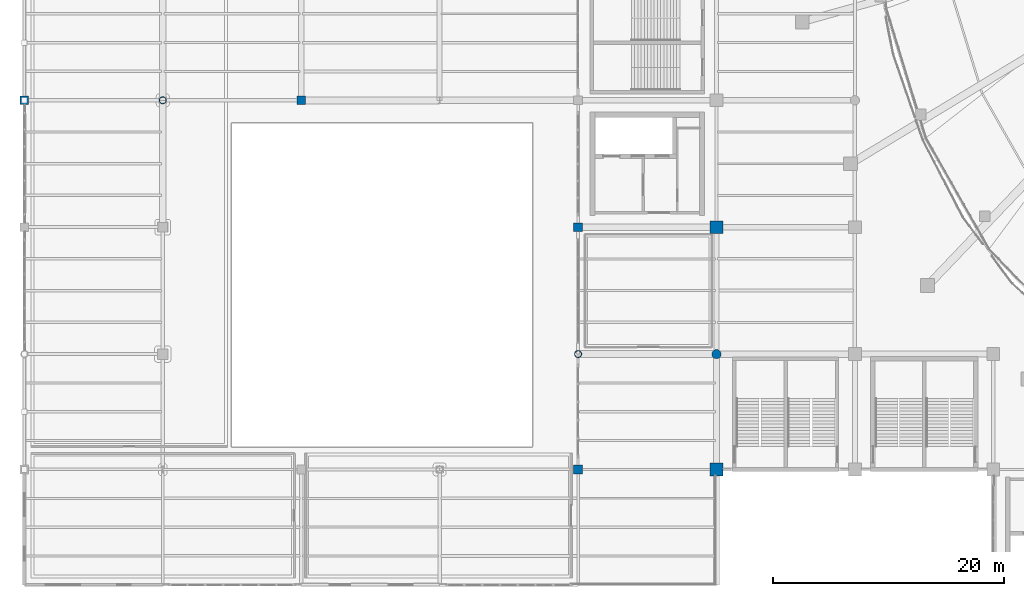
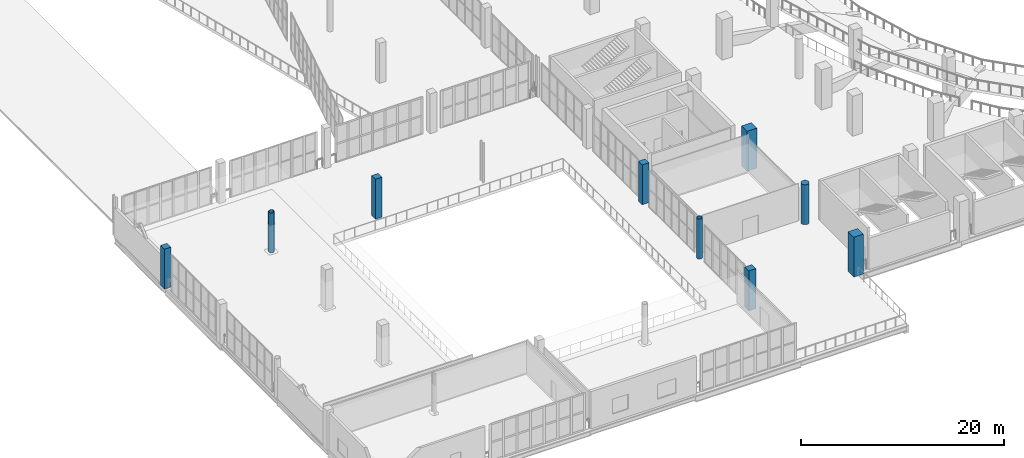
# One storey, part 2 of 136: 9 columns.
"""IFC4 building model written with IfcOpenShell, lengths in metres."""

from ifc_helpers import new_model, si_unit, direction, frame, origin, origin_2d, place, context, subcontext, project, spatial, rectangle, circle, hollow_circle, extrude, material, material_profile, profile_set, type_object, element, save


model = new_model("IFC4")

# Units and contexts
model_context = context("Model", 3, precision=1e-05, world=origin(), true_north=direction((0.0, 1.0)))
body_context = subcontext(model_context, "Body", "Model", "MODEL_VIEW")
ifc_project = project(units=[si_unit("LENGTHUNIT", "METRE"), si_unit("AREAUNIT", "SQUARE_METRE"), si_unit("VOLUMEUNIT", "CUBIC_METRE"), si_unit("PLANEANGLEUNIT", "RADIAN"), si_unit("MASSUNIT", "GRAM", prefix="KILO")], contexts=[model_context])

# Site, building, storey
site_placement = place(None, origin())
site = spatial("IfcSite", under=ifc_project, at=site_placement, CompositionType="ELEMENT")
building_placement = place(site_placement, origin())
building = spatial("IfcBuilding", under=site, at=building_placement, Name="Brinegate Civic Arena", CompositionType="ELEMENT")
storey_placement = place(building_placement, frame((0.0, 0.0, 5.39990234375)))
storey = spatial("IfcBuildingStorey", under=building, at=storey_placement, Name="L01", CompositionType="ELEMENT", Elevation=5.39990234375)

# Columns
ifc_material_1 = material(Name="Concrete C50/60", Category="concrete")
ifc_material_profile_1 = material_profile(ifc_material_1, rectangle(XDim=1.10009765625, YDim=1.10009765625, at=origin_2d()), Name="RC1100X1100")
ifc_profile_set_1 = profile_set([ifc_material_profile_1], Name="Concrete C50/60")
column_type_1 = type_object("IfcColumnType", Name="COL-CC02-1100", PredefinedType="COLUMN", material=ifc_profile_set_1)
for number, where, z_axis, x_axis, name in (
    (1, (60.0, 10.0, 0.0), (0.0, 0.0, 1.0), (1.0, 0.0, 0.0), "Column COL-L01-6-B"),
    (2, (60.0, 31.0, 0.0), (0.0, 0.0, 1.0), (1.0, 0.0, 0.0), "Column COL-L01-6-D"),
):
    element("IfcColumn", number, at=place(storey_placement, frame(where, z_axis=z_axis, x_axis=x_axis)), inside=storey, type_object=column_type_1, Name=name, PredefinedType="COLUMN", context=body_context, shape_type="SweptSolid", body=[
        extrude(rectangle(XDim=1.10009765625, YDim=1.10009765625, at=origin_2d()), origin(), (0.0, 0.0, 1.0), 4.800048828125),
    ])
ifc_material_profile_2 = material_profile(ifc_material_1, rectangle(XDim=0.800048828125, YDim=0.800048828125, at=origin_2d()), Name="RC800X800")
ifc_profile_set_2 = profile_set([ifc_material_profile_2], Name="Concrete C50/60")
column_type_2 = type_object("IfcColumnType", Name="COL-CC07-800", PredefinedType="COLUMN", material=ifc_profile_set_2)
column_1_placement = place(storey_placement, frame((48.0, 10.0, 0.0), z_axis=(0.0, 0.0, 1.0), x_axis=(1.0, 0.0, 0.0)))
element("IfcColumn", 3, at=column_1_placement, inside=storey, type_object=column_type_2, Name="Column COL-L01-5-B", PredefinedType="COLUMN", context=body_context, shape_type="SweptSolid", body=[
    extrude(rectangle(XDim=0.800048828125, YDim=0.800048828125, at=origin_2d()), origin(), (0.0, 0.0, 1.0), 4.800048828125),
])
ifc_material_profile_3 = material_profile(ifc_material_1, rectangle(XDim=0.75, YDim=0.75, at=origin_2d()), Name="RC750X750")
ifc_profile_set_3 = profile_set([ifc_material_profile_3], Name="Concrete C50/60")
column_type_3 = type_object("IfcColumnType", Name="COL-CC08-750", PredefinedType="COLUMN", material=ifc_profile_set_3)
for number, where, z_axis, x_axis, name in (
    (4, (0.0, 42.0, 0.0), (0.0, 0.0, 1.0), (1.0, 0.0, 0.0), "Column COL-L01-1-E"),
    (5, (24.0, 42.0, 0.0), (0.0, 0.0, 1.0), (1.0, 0.0, 0.0), "Column COL-L01-3-E"),
    (6, (48.0, 31.0, 0.0), (0.0, 0.0, 1.0), (1.0, 0.0, 0.0), "Column COL-L01-5-D"),
):
    element("IfcColumn", number, at=place(storey_placement, frame(where, z_axis=z_axis, x_axis=x_axis)), inside=storey, type_object=column_type_3, Name=name, PredefinedType="COLUMN", context=body_context, shape_type="SweptSolid", body=[
        extrude(rectangle(XDim=0.75, YDim=0.75, at=origin_2d()), origin(), (0.0, 0.0, 1.0), 4.800048828125),
    ])
ifc_material_profile_4 = material_profile(ifc_material_1, circle(Radius=0.39990234375, at=origin_2d()), Name="RCD800")
ifc_profile_set_4 = profile_set([ifc_material_profile_4], Name="Concrete C50/60")
column_type_4 = type_object("IfcColumnType", Name="COL-CC13-D800", PredefinedType="COLUMN", material=ifc_profile_set_4)
column_2_placement = place(storey_placement, frame((60.0, 20.0, 0.0), z_axis=(0.0, 0.0, 1.0), x_axis=(1.0, 0.0, 0.0)))
element("IfcColumn", 7, at=column_2_placement, inside=storey, type_object=column_type_4, Name="Column COL-L01-6-C", PredefinedType="COLUMN", context=body_context, shape_type="SweptSolid", body=[
    extrude(circle(Radius=0.39990234375, at=origin_2d()), origin(), (0.0, 0.0, 1.0), 4.800048828125),
])
ifc_material_2 = material(Name="Steel S355", Category="steel")
ifc_material_profile_5 = material_profile(ifc_material_2, hollow_circle(Radius=0.304931640625, WallThickness=0.02490234375, at=origin_2d()), Name="CHS610X25")
ifc_profile_set_5 = profile_set([ifc_material_profile_5], Name="Steel S355")
column_type_5 = type_object("IfcColumnType", Name="COL-SC05-CHS610", PredefinedType="COLUMN", material=ifc_profile_set_5)
for number, where, z_axis, x_axis, name in (
    (8, (12.0, 42.0, 0.0), (0.0, 0.0, 1.0), (1.0, 0.0, 0.0), "Column COL-L01-2-E"),
    (9, (48.0, 20.0, 0.0), (0.0, 0.0, 1.0), (1.0, 0.0, 0.0), "Column COL-L01-5-C"),
):
    element("IfcColumn", number, at=place(storey_placement, frame(where, z_axis=z_axis, x_axis=x_axis)), inside=storey, type_object=column_type_5, Name=name, PredefinedType="COLUMN", context=body_context, shape_type="SweptSolid", body=[
        extrude(hollow_circle(Radius=0.304931640625, WallThickness=0.02490234375, at=origin_2d()), origin(), (0.0, 0.0, 1.0), 4.800048828125),
    ])

save(model, "model.ifc")
